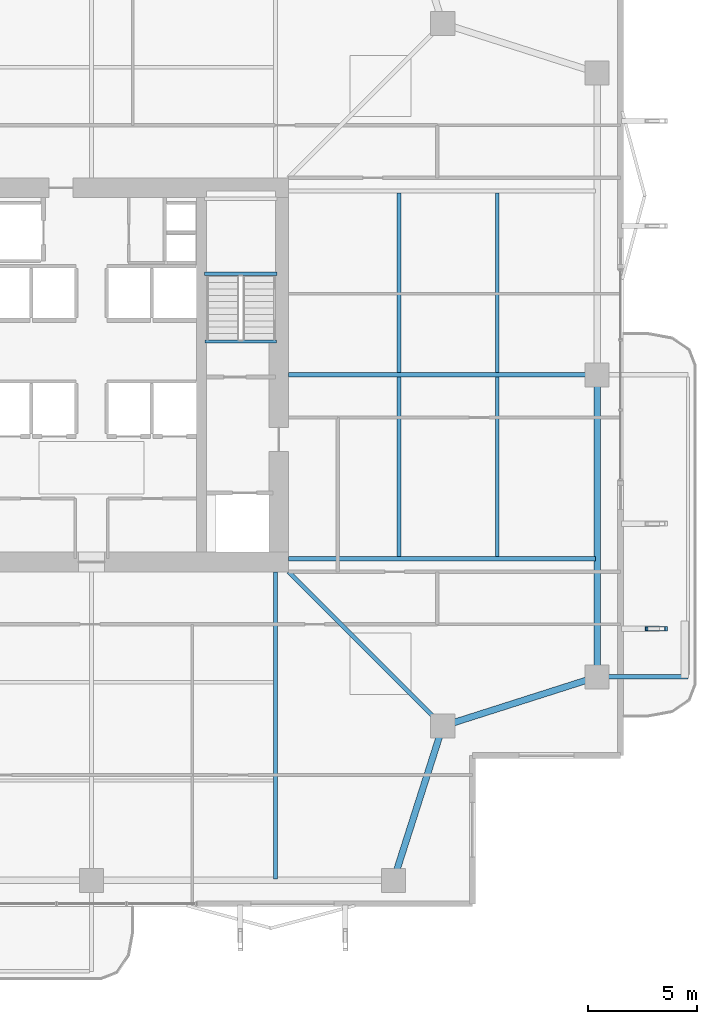
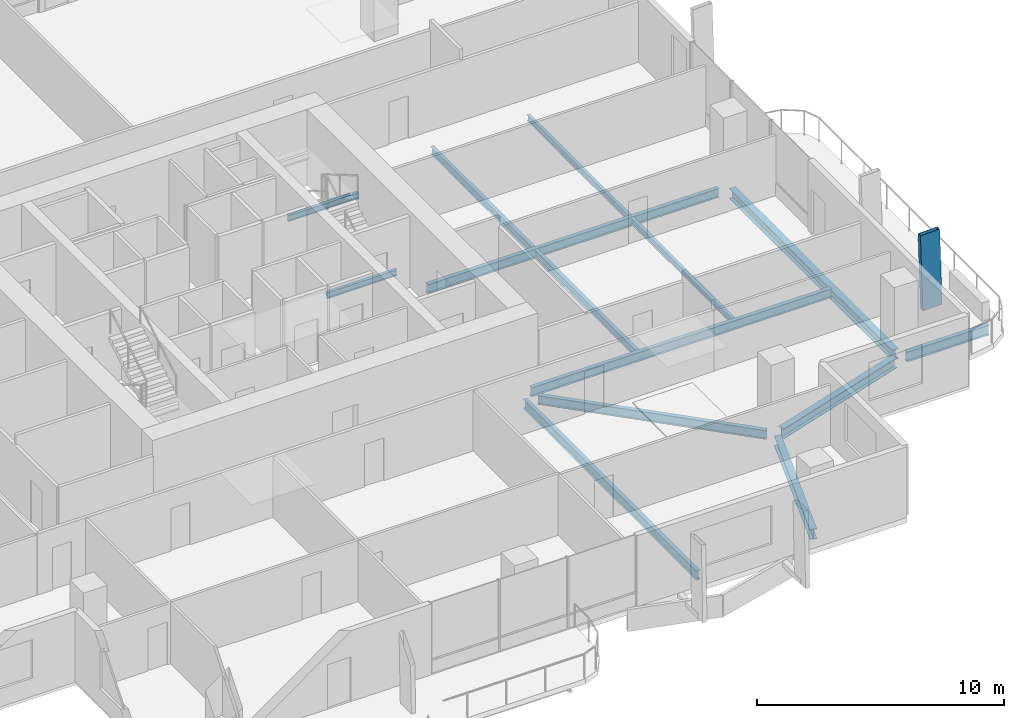
# One storey, part 9 of 25: 14 beams, 1 member.
"""IFC4 building model written with IfcOpenShell, lengths in metres."""

from ifc_helpers import new_model, si_unit, direction, frame, origin, origin_2d, place, context, subcontext, project, spatial, hollow_rectangle, i_section, extrude, material, material_profile, profile_set, type_object, element, save


model = new_model("IFC4")

# Units and contexts
model_context = context("Model", 3, precision=1e-05, world=origin(), true_north=direction((0.0, 1.0)))
body_context = subcontext(model_context, "Body", "Model", "MODEL_VIEW")
ifc_project = project(units=[si_unit("LENGTHUNIT", "METRE"), si_unit("AREAUNIT", "SQUARE_METRE"), si_unit("VOLUMEUNIT", "CUBIC_METRE"), si_unit("PLANEANGLEUNIT", "RADIAN"), si_unit("MASSUNIT", "GRAM", prefix="KILO")], contexts=[model_context])

# Site, building, storey
site_placement = place(None, origin())
site = spatial("IfcSite", under=ifc_project, at=site_placement, CompositionType="ELEMENT")
building_placement = place(site_placement, origin())
building = spatial("IfcBuilding", under=site, at=building_placement, Name="Belovzor Exchange Tower", CompositionType="ELEMENT")
storey_placement = place(building_placement, frame((0.0, 0.0, 149.550048828125)))
storey = spatial("IfcBuildingStorey", under=building, at=storey_placement, Name="L36", CompositionType="ELEMENT", Elevation=149.550048828125)

# Beams
ifc_material_1 = material(Name="Steel S355", Category="steel")
ifc_material_profile_1 = material_profile(ifc_material_1, i_section(OverallWidth=0.199951171875, OverallDepth=0.5, WebThickness=0.01025390625, FlangeThickness=0.01611328125, at=origin_2d()))
ifc_profile_set_1 = profile_set([ifc_material_profile_1], Name="Steel S355")
beam_type_1 = type_object("IfcBeamType", Name="Planted Balcony Cantilever Beam IPE 500", PredefinedType="BEAM", material=ifc_profile_set_1)
beam_1_placement = place(storey_placement, frame((52.202880859375, 15.0, -0.505126953125), z_axis=(1.0, 0.0, 0.0), x_axis=(0.0, 1.0, 0.0)))
element("IfcBeam", 1, at=beam_1_placement, inside=storey, type_object=beam_type_1, Name="BC-500 Planted Balcony Cantilever Beam IPE 500", PredefinedType="BEAM", context=body_context, shape_type="SweptSolid", body=[
    extrude(i_section(OverallWidth=0.199951171875, OverallDepth=0.5, WebThickness=0.01025390625, FlangeThickness=0.01611328125, at=origin_2d()), origin(), (0.0, 0.0, 1.0), 3.85009765625),
])
ifc_material_2 = material(Name="Steel S355", Category="steel")
ifc_material_profile_2 = material_profile(ifc_material_2, i_section(OverallWidth=0.169921875, OverallDepth=0.360107421875, WebThickness=0.008056640625, FlangeThickness=0.0126953125, at=origin_2d()))
ifc_profile_set_2 = profile_set([ifc_material_profile_2], Name="Steel S355")
beam_type_2 = type_object("IfcBeamType", Name="Secondary Infill Floor Joist IPE 360", PredefinedType="BEAM", material=ifc_profile_set_2)
for number, where, z_axis, x_axis, name in (
    (2, (42.84912109375, 20.4951171875, -0.43505859375), (0.0, 1.0, 0.0), (-1.0, 0.0, 0.0), "FJ-360 Secondary Infill Floor Joist IPE 360"),
    (3, (42.84912109375, 28.89501953125, -0.43505859375), (0.0, 1.0, 0.0), (-1.0, 0.0, 0.0), "FJ-360 Secondary Infill Floor Joist IPE 360"),
):
    element("IfcBeam", number, at=place(storey_placement, frame(where, z_axis=z_axis, x_axis=x_axis)), inside=storey, type_object=beam_type_2, Name=name, PredefinedType="BEAM", context=body_context, shape_type="SweptSolid", body=[
        extrude(i_section(OverallWidth=0.169921875, OverallDepth=0.360107421875, WebThickness=0.008056640625, FlangeThickness=0.0126953125, at=origin_2d()), origin(), (0.0, 0.0, 1.0), 8.2099609375),
    ])
ifc_material_3 = material(Name="Steel S355", Category="steel")
ifc_material_profile_3 = material_profile(ifc_material_3, i_section(OverallWidth=0.14990234375, OverallDepth=0.300048828125, WebThickness=0.007080078125, FlangeThickness=0.0107421875, at=origin_2d()))
ifc_profile_set_3 = profile_set([ifc_material_profile_3], Name="Steel S355")
beam_type_3 = type_object("IfcBeamType", Name="Secondary Trim Floor Joist IPE 300", PredefinedType="BEAM", material=ifc_profile_set_3)
beam_2_placement = place(storey_placement, frame((37.280029296875, 33.419921875, 1.52490234375), z_axis=(-1.0, 0.0, 0.0), x_axis=(0.0, -1.0, 0.0)))
element("IfcBeam", 4, at=beam_2_placement, inside=storey, type_object=beam_type_3, Name="FJ-300 Secondary Trim Floor Joist IPE 300", PredefinedType="BEAM", context=body_context, shape_type="SweptSolid", body=[
    extrude(i_section(OverallWidth=0.14990234375, OverallDepth=0.300048828125, WebThickness=0.007080078125, FlangeThickness=0.0107421875, at=origin_2d()), origin(), (0.0, 0.0, 1.0), 3.31005859375),
])
beam_3_placement = place(storey_placement, frame((37.260009765625, 30.320068359375, -0.405029296875), z_axis=(-1.0, 0.0, 0.0), x_axis=(0.0, -1.0, 0.0)))
element("IfcBeam", 5, at=beam_3_placement, inside=storey, type_object=beam_type_3, Name="FJ-300 Secondary Trim Floor Joist IPE 300", PredefinedType="BEAM", context=body_context, shape_type="SweptSolid", body=[
    extrude(i_section(OverallWidth=0.14990234375, OverallDepth=0.300048828125, WebThickness=0.007080078125, FlangeThickness=0.0107421875, at=origin_2d()), origin(), (0.0, 0.0, 1.0), 3.27001953125),
])
for number, where, z_axis, x_axis, name in (
    (6, (47.3369140625, 20.4951171875, -0.405029296875), (0.0, 1.0, 0.0), (-1.0, 0.0, 0.0), "FJ-300 Secondary Trim Floor Joist IPE 300"),
    (7, (47.3369140625, 28.89501953125, -0.405029296875), (0.0, 1.0, 0.0), (-1.0, 0.0, 0.0), "FJ-300 Secondary Trim Floor Joist IPE 300"),
):
    element("IfcBeam", number, at=place(storey_placement, frame(where, z_axis=z_axis, x_axis=x_axis)), inside=storey, type_object=beam_type_3, Name=name, PredefinedType="BEAM", context=body_context, shape_type="SweptSolid", body=[
        extrude(i_section(OverallWidth=0.14990234375, OverallDepth=0.300048828125, WebThickness=0.007080078125, FlangeThickness=0.0107421875, at=origin_2d()), origin(), (0.0, 0.0, 1.0), 8.2099609375),
    ])

# Member
ifc_material_4 = material(Name="Extruded Architectural Terracotta on Steel S355 Carrier", Category="masonry")
ifc_material_profile_4 = material_profile(ifc_material_4, hollow_rectangle(XDim=0.199951171875, YDim=0.89990234375, WallThickness=0.011962890625, at=origin_2d()))
ifc_profile_set_4 = profile_set([ifc_material_profile_4], Name="Extruded Architectural Terracotta on Steel S355 Carrier")
member_type = type_object("IfcMemberType", Name="Sweeping Terracotta Baguette Fin Assembly 1250", PredefinedType="USERDEFINED", material=ifc_profile_set_4)
member_placement = place(storey_placement, frame((54.6640625, 17.199951171875, -0.255126953125), z_axis=(-0.030129544208, 0.0, 0.999546002226), x_axis=(0.0, -1.0, 0.0)))
element("IfcMember", 8, at=member_placement, inside=storey, type_object=member_type, Name="FIN-TC125 Terracotta Facade Fin L36 E1", ObjectType="FIN", PredefinedType="USERDEFINED", context=body_context, shape_type="SweptSolid", body=[
    extrude(hollow_rectangle(XDim=0.199951171875, YDim=0.89990234375, WallThickness=0.011962890625, at=origin_2d()), origin(), (0.0, 0.0, 1.0), 3.751708984375),
])

# Beams
ifc_material_5 = material(Name="Steel S355", Category="steel")
ifc_material_profile_5 = material_profile(ifc_material_5, i_section(OverallWidth=0.18994140625, OverallDepth=0.449951171875, WebThickness=0.009521484375, FlangeThickness=0.0146484375, at=origin_2d()))
ifc_profile_set_5 = profile_set([ifc_material_profile_5], Name="Steel S355")
beam_type_4 = type_object("IfcBeamType", Name="Zone 2-4 Radial Composite Floor Beam IPE 450", PredefinedType="BEAM", material=ifc_profile_set_5)
beam_4_placement = place(storey_placement, frame((37.199951171875, 19.800048828125, -0.47998046875), z_axis=(0.0, -1.0, 0.0), x_axis=(1.0, 0.0, 0.0)))
element("IfcBeam", 9, at=beam_4_placement, inside=storey, type_object=beam_type_4, Name="FB-450 Zone 2-4 Radial Composite Floor Beam IPE 450", PredefinedType="BEAM", context=body_context, shape_type="SweptSolid", body=[
    extrude(i_section(OverallWidth=0.18994140625, OverallDepth=0.449951171875, WebThickness=0.009521484375, FlangeThickness=0.0146484375, at=origin_2d()), origin(), (0.0, 0.0, 1.0), 14.025146484375),
])
beam_5_placement = place(storey_placement, frame((37.800048828125, 20.39990234375, -0.47998046875), z_axis=(1.0, 0.0, 0.0), x_axis=(0.0, 1.0, 0.0)))
element("IfcBeam", 10, at=beam_5_placement, inside=storey, type_object=beam_type_4, Name="FB-450 Zone 2-4 Radial Composite Floor Beam IPE 450", PredefinedType="BEAM", context=body_context, shape_type="SweptSolid", body=[
    extrude(i_section(OverallWidth=0.18994140625, OverallDepth=0.449951171875, WebThickness=0.009521484375, FlangeThickness=0.0146484375, at=origin_2d()), origin(), (0.0, 0.0, 1.0), 14.02490234375),
])
beam_6_placement = place(storey_placement, frame((37.800048828125, 28.800048828125, -0.47998046875), z_axis=(1.0, 0.0, 0.0), x_axis=(0.0, 1.0, 0.0)))
element("IfcBeam", 11, at=beam_6_placement, inside=storey, type_object=beam_type_4, Name="FB-450 Zone 2-4 Radial Composite Floor Beam IPE 450", PredefinedType="BEAM", context=body_context, shape_type="SweptSolid", body=[
    extrude(i_section(OverallWidth=0.18994140625, OverallDepth=0.449951171875, WebThickness=0.009521484375, FlangeThickness=0.0146484375, at=origin_2d()), origin(), (0.0, 0.0, 1.0), 13.615966796875),
])
beam_7_placement = place(storey_placement, frame((37.800048828125, 19.800048828125, -0.47998046875), z_axis=(0.707094040639, -0.707119521505, 0.0), x_axis=(0.707119521505, 0.707094040639, 0.0)))
element("IfcBeam", 12, at=beam_7_placement, inside=storey, type_object=beam_type_4, Name="FB-450 Zone 2-4 Radial Composite Floor Beam IPE 450", PredefinedType="BEAM", context=body_context, shape_type="SweptSolid", body=[
    extrude(i_section(OverallWidth=0.18994140625, OverallDepth=0.449951171875, WebThickness=0.009521484375, FlangeThickness=0.0146484375, at=origin_2d()), origin(), (0.0, 0.0, 1.0), 9.581298828125),
])
ifc_material_6 = material(Name="Steel S355", Category="steel")
ifc_material_profile_6 = material_profile(ifc_material_6, i_section(OverallWidth=0.300048828125, OverallDepth=0.5, WebThickness=0.014404296875, FlangeThickness=0.028076171875, at=origin_2d()))
ifc_profile_set_6 = profile_set([ifc_material_profile_6], Name="Steel S355")
beam_type_5 = type_object("IfcBeamType", Name="Zone 3 Waist Primary Girder HEB 500", PredefinedType="BEAM", material=ifc_profile_set_6)
for number, where, z_axis, x_axis, name in (
    (13, (42.69189453125, 5.988037109375, -0.505126953125), (0.304044336164, 0.952657882792, 0.0), (-0.952657882792, 0.304044336164, 0.0), "FG-Z3 Zone 3 Waist Primary Girder HEB 500"),
    (14, (45.137939453125, 12.842041015625, -0.505126953125), (0.952671608699, 0.304001325621, 0.0), (-0.304001325621, 0.952671608699, 0.0), "FG-Z3 Zone 3 Waist Primary Girder HEB 500"),
):
    element("IfcBeam", number, at=place(storey_placement, frame(where, z_axis=z_axis, x_axis=x_axis)), inside=storey, type_object=beam_type_5, Name=name, PredefinedType="BEAM", context=body_context, shape_type="SweptSolid", body=[
        extrude(i_section(OverallWidth=0.300048828125, OverallDepth=0.5, WebThickness=0.014404296875, FlangeThickness=0.028076171875, at=origin_2d()), origin(), (0.0, 0.0, 1.0), 6.795654296875),
    ])
beam_8_placement = place(storey_placement, frame((51.89990234375, 15.302978515625, -0.505126953125), z_axis=(0.0, 1.0, 0.0), x_axis=(-1.0, 0.0, 0.0)))
element("IfcBeam", 15, at=beam_8_placement, inside=storey, type_object=beam_type_5, Name="FG-Z3 Zone 3 Waist Primary Girder HEB 500", PredefinedType="BEAM", context=body_context, shape_type="SweptSolid", body=[
    extrude(i_section(OverallWidth=0.300048828125, OverallDepth=0.5, WebThickness=0.014404296875, FlangeThickness=0.028076171875, at=origin_2d()), origin(), (0.0, 0.0, 1.0), 13.195068359375),
])

save(model, "model.ifc")
